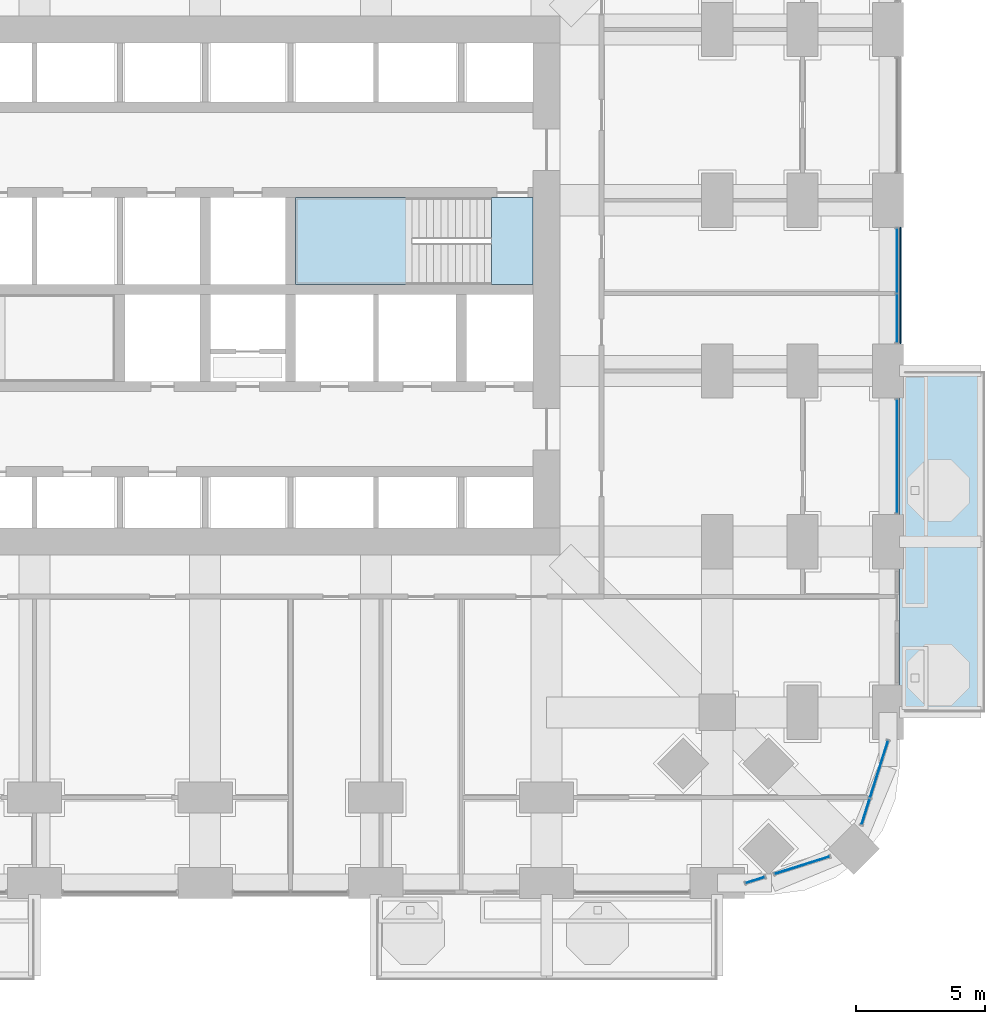
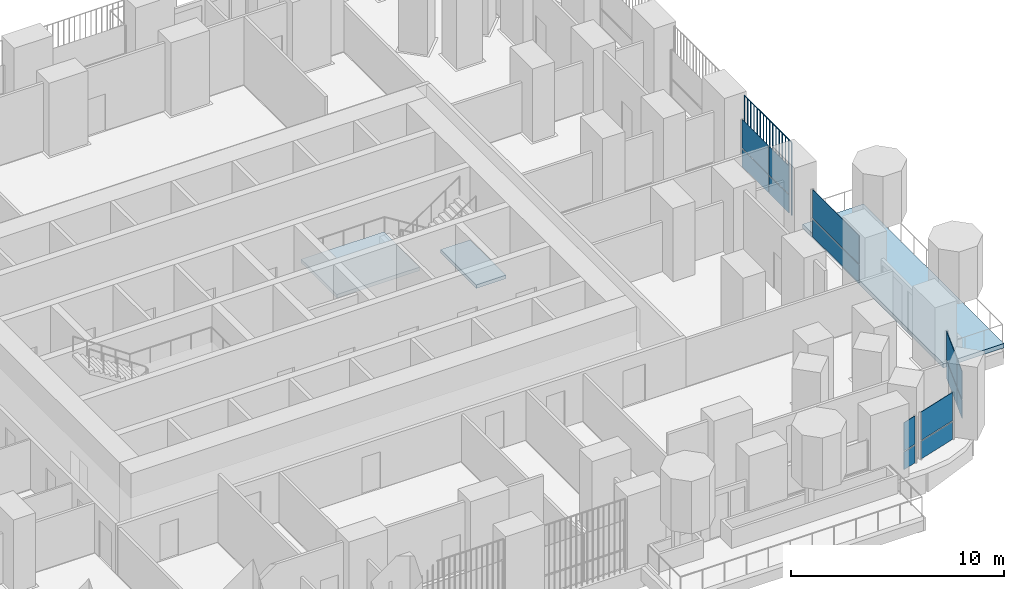
# One storey, part 14 of 27: 15 plates, 3 slabs, 6 elements without a shape of their own.
"""IFC4 building model written with IfcOpenShell, lengths in metres."""

import ifcopenshell
import ifcopenshell.guid

model = None  # the IFC model being written
_history = None  # IfcOwnerHistory: only IFC2X3 demands one
_inside = {}  # id of a spatial element -> (the spatial element, [elements in it])
_under = {}  # id of a project, library or spatial element -> (it, [spatial elements below it])
_declared = {}  # id of a project -> (the project, [libraries it declares])
_typed = {}  # id of a type object -> (the type object, [elements of that type])
_made_of = {}  # id of a material, layer set ... -> (it, [elements and type objects made of it])


def new_model(schema):
    """Start an empty IFC model of exactly this schema.

    Asked for "IFC4X3", IfcOpenShell would pick the latest addendum, in which some entities
    have other attributes; the version numbers below select the first issue.
    IFC2X3 requires an IfcOwnerHistory on every rooted entity: one is made here for all.
    """
    global model, _history
    if schema == "IFC4X3":
        model = ifcopenshell.file(schema_version=(4, 3, 0, 0))
    else:
        model = ifcopenshell.file(schema=schema)
    _inside.clear()
    _under.clear()
    _declared.clear()
    _typed.clear()
    _made_of.clear()
    _history = None
    if model.schema == "IFC2X3":
        org = make("IfcOrganization", Name="unknown")
        user = make(
            "IfcPersonAndOrganization",
            ThePerson=make("IfcPerson", FamilyName="unknown"),
            TheOrganization=org,
        )
        app = make(
            "IfcApplication",
            ApplicationDeveloper=org,
            Version="unknown",
            ApplicationFullName="unknown",
            ApplicationIdentifier="unknown",
        )
        _history = make(
            "IfcOwnerHistory",
            OwningUser=user,
            OwningApplication=app,
            ChangeAction="ADDED",
            CreationDate=0,
        )
    return model


def make(cls, **values):
    """One entity of the class cls with the attributes given. An attribute that is None is left unset."""
    return model.create_entity(
        cls, **{name: value for name, value in values.items() if value is not None}
    )


def rooted(cls, **values):
    """An entity with a GlobalId (a new one), such as an element, a storey or a relation."""
    return make(cls, GlobalId=ifcopenshell.guid.new(), OwnerHistory=_history, **values)


def si_unit(unit_type, name, prefix=None):
    """IfcSIUnit, for example si_unit("LENGTHUNIT", "METRE", prefix="MILLI")."""
    return make("IfcSIUnit", UnitType=unit_type, Prefix=prefix, Name=name)


def assignment(units):
    """IfcUnitAssignment: the units of a project."""
    return None if units is None else make("IfcUnitAssignment", Units=units)


def point(xyz):
    """IfcCartesianPoint."""
    return None if xyz is None else make("IfcCartesianPoint", Coordinates=xyz)


def direction(xyz):
    """IfcDirection."""
    return None if xyz is None else make("IfcDirection", DirectionRatios=xyz)


def frame(location, z_axis=None, x_axis=None):
    """IfcAxis2Placement3D, a coordinate frame: its origin and axes. An axis left out is left unset."""
    return make(
        "IfcAxis2Placement3D",
        Location=point(location),
        Axis=direction(z_axis),
        RefDirection=direction(x_axis),
    )


def frame_2d(location, x_axis=None):
    """IfcAxis2Placement2D, a coordinate frame in the plane: its origin and x axis."""
    return make(
        "IfcAxis2Placement2D", Location=point(location), RefDirection=direction(x_axis)
    )


def origin():
    """The frame at (0, 0, 0) with its axes left unset."""
    return frame((0.0, 0.0, 0.0))


def origin_2d():
    """The frame at (0, 0) in the plane with its x axis left unset."""
    return frame_2d((0.0, 0.0))


def place(relative_to, where):
    """IfcLocalPlacement: puts the frame where relative to a parent placement (None: the world)."""
    return make(
        "IfcLocalPlacement", PlacementRelTo=relative_to, RelativePlacement=where
    )


def context(
    kind, dimensions, precision=None, world=None, true_north=None, identifier=None
):
    """IfcGeometricRepresentationContext, for example the 3D "Model" context."""
    return make(
        "IfcGeometricRepresentationContext",
        ContextIdentifier=identifier,
        ContextType=kind,
        CoordinateSpaceDimension=dimensions,
        Precision=precision,
        WorldCoordinateSystem=world,
        TrueNorth=true_north,
    )


def subcontext(parent, identifier, kind, view, scale=None):
    """IfcGeometricRepresentationSubContext, for example "Body" below "Model"."""
    return make(
        "IfcGeometricRepresentationSubContext",
        ContextIdentifier=identifier,
        ContextType=kind,
        ParentContext=parent,
        TargetScale=scale,
        TargetView=view,
    )


def project(units=None, contexts=None):
    """IfcProject with its units and contexts."""
    return rooted(
        "IfcProject",
        Name="project",
        RepresentationContexts=contexts,
        UnitsInContext=assignment(units),
    )


def spatial(cls, under=None, at=None, **own):
    """A site, building, storey or space (cls), placed at a placement, below another one or the project."""
    s = rooted(cls, ObjectPlacement=at, **own)
    if under is not None:
        _under.setdefault(under.id(), (under, []))[1].append(s)
    return s


def polyline(points):
    """IfcPolyline through the points."""
    return make("IfcPolyline", Points=[point(p) for p in points])


def profile(cls, at=None, kind="AREA", **sizes):
    """A parametric profile (cls). Its sizes go by their IFC names, for example OverallWidth=200.0."""
    return make(cls, ProfileType=kind, Position=at, **sizes)


def rectangle(**sizes):
    """IfcRectangleProfileDef."""
    return profile("IfcRectangleProfileDef", **sizes)


def outline(outer, holes=None, kind="AREA"):
    """IfcArbitraryClosedProfileDef: a profile drawn as a closed curve; with holes, ...WithVoids."""
    if holes is None:
        return make("IfcArbitraryClosedProfileDef", ProfileType=kind, OuterCurve=outer)
    return make(
        "IfcArbitraryProfileDefWithVoids",
        ProfileType=kind,
        OuterCurve=outer,
        InnerCurves=holes,
    )


def extrude(swept, where, along, depth):
    """IfcExtrudedAreaSolid: the profile swept, set in the frame where, extruded along a direction by depth."""
    return make(
        "IfcExtrudedAreaSolid",
        SweptArea=swept,
        Position=where,
        ExtrudedDirection=direction(along),
        Depth=depth,
    )


def shape(context_of_items, identifier, shape_type, items):
    """IfcShapeRepresentation: the items that make up one representation, for example the "Body"."""
    return make(
        "IfcShapeRepresentation",
        ContextOfItems=context_of_items,
        RepresentationIdentifier=identifier,
        RepresentationType=shape_type,
        Items=items,
    )


def material(Name=None, Category=None):
    """IfcMaterial."""
    return make("IfcMaterial", Name=Name, Category=Category)


def layer(
    of_material, thickness, ventilated=None, Name=None, Category=None, Priority=None
):
    """IfcMaterialLayer: one layer of a wall or slab, of a material (None: an air gap)."""
    return make(
        "IfcMaterialLayer",
        Material=of_material,
        LayerThickness=thickness,
        IsVentilated=ventilated,
        Name=Name,
        Category=Category,
        Priority=Priority,
    )


def layer_set(layers, Name=None):
    """IfcMaterialLayerSet."""
    return make("IfcMaterialLayerSet", MaterialLayers=layers, LayerSetName=Name)


def made_of(thing, what):
    """Note that an element or type object is made of a material, layer set ...; save() writes the relation."""
    if what is not None:
        _made_of.setdefault(what.id(), (what, []))[1].append(thing)
    return thing


def type_object(cls, material=None, **own):
    """A type object (cls), such as IfcWallType, which elements share."""
    return made_of(rooted(cls, **own), material)


def element(
    cls,
    number,
    at=None,
    inside=None,
    cuts=None,
    type_object=None,
    material=None,
    context=None,
    identifier="Body",
    shape_type=None,
    held_by="IfcProductDefinitionShape",
    body=None,
    shapes=None,
    **own,
):
    """One element of the class cls, such as IfcWall. Its Tag is "e" and its number.

    at: its placement. inside: the storey or other place that contains it. cuts: it is an
    opening in that element (IfcRelVoidsElement). A single representation is given by context,
    identifier, shape_type and body (its items); several are given by shapes. held_by: the class
    of the entity that holds the representations. save() writes the other relations.
    """
    e = rooted(cls, Tag="e%d" % number, ObjectPlacement=at, **own)
    if body is not None:
        shapes = [shape(context, identifier, shape_type, body)]
    if shapes is not None:
        e.Representation = make(held_by, Representations=shapes)
    if inside is not None:
        _inside.setdefault(inside.id(), (inside, []))[1].append(e)
    if cuts is not None:
        rooted(
            "IfcRelVoidsElement", RelatingBuildingElement=cuts, RelatedOpeningElement=e
        )
    if type_object is not None:
        _typed.setdefault(type_object.id(), (type_object, []))[1].append(e)
    return made_of(e, material)


def aggregate(whole, parts):
    """IfcRelAggregates: a whole, such as a stair, and the parts it consists of."""
    return rooted("IfcRelAggregates", RelatingObject=whole, RelatedObjects=parts)


def save(model, path):
    """Write the relations noted so far, then the file.

    IfcRelAggregates (storeys below a building ...), IfcRelContainedInSpatialStructure (elements
    in a storey), IfcRelDefinesByType, IfcRelAssociatesMaterial and IfcRelDeclares: one each for
    every whole, place, type object, material and project.
    """
    for whole, parts in _under.values():
        aggregate(whole, parts)
    for where, things in _inside.values():
        rooted(
            "IfcRelContainedInSpatialStructure",
            RelatedElements=things,
            RelatingStructure=where,
        )
    for kind, things in _typed.values():
        rooted("IfcRelDefinesByType", RelatedObjects=things, RelatingType=kind)
    for what, things in _made_of.values():
        rooted("IfcRelAssociatesMaterial", RelatedObjects=things, RelatingMaterial=what)
    for by, libraries in _declared.values():
        rooted("IfcRelDeclares", RelatingContext=by, RelatedDefinitions=libraries)
    model.write(path)


model = new_model("IFC4")

# Units and contexts
model_context = context("Model", 3, precision=1e-05, world=origin(), true_north=direction((0.0, 1.0)))
body_context = subcontext(model_context, "Body", "Model", "MODEL_VIEW")
ifc_project = project(units=[si_unit("LENGTHUNIT", "METRE"), si_unit("AREAUNIT", "SQUARE_METRE"), si_unit("VOLUMEUNIT", "CUBIC_METRE"), si_unit("PLANEANGLEUNIT", "RADIAN"), si_unit("MASSUNIT", "GRAM", prefix="KILO")], contexts=[model_context])

# Site, building, storey
site_placement = place(None, origin())
site = spatial("IfcSite", under=ifc_project, at=site_placement, CompositionType="ELEMENT")
building_placement = place(site_placement, origin())
building = spatial("IfcBuilding", under=site, at=building_placement, Name="Cobogo Forest Laboratory Tower", CompositionType="ELEMENT")
storey_placement = place(building_placement, frame((0.0, 0.0, 46.5)))
storey = spatial("IfcBuildingStorey", under=building, at=storey_placement, Name="L10", CompositionType="ELEMENT", Elevation=46.5)

# Slab
ifc_material_1 = material(Name="Concrete HA-40 (C40/50)", Category="concrete")
ifc_layer_1 = layer(ifc_material_1, 0.25)
ifc_layer_set_1 = layer_set([ifc_layer_1], Name="Balcony slab 250")
slab_type_1 = type_object("IfcSlabType", Name="Balcony slab 250", PredefinedType="FLOOR", material=ifc_layer_set_1)
slab_1_placement = place(storey_placement, frame((0.0, 0.0, -0.25)))
element("IfcSlab", 1, at=slab_1_placement, inside=storey, type_object=slab_type_1, Name="Balcony BAL-E1 L10", PredefinedType="FLOOR", context=body_context, shape_type="SweptSolid", body=[
    extrude(outline(polyline([(53.25, 6.60009765625), (56.550048828125, 6.60009765625), (56.550048828125, 19.800048828125), (53.25, 19.800048828125), (53.25, 6.60009765625)])), origin(), (0.0, 0.0, 1.0), 0.25),
])

# Curtain wall, plates
ifc_material_2 = material(Name="Aluminium curtain wall", Category="aluminium")
curtain_wall_type = type_object("IfcCurtainWallType", Name="CW-1 unitised curtain wall, clear glazing, laboratory floors zones A and B", PredefinedType="USERDEFINED", material=ifc_material_2)
curtain_wall_1_placement = place(storey_placement, origin())
curtain_wall_1 = element("IfcCurtainWall", 2, at=curtain_wall_1_placement, inside=storey, type_object=curtain_wall_type, Name="Curtain wall 07 L10", ObjectType="UNITISED CURTAIN WALL", PredefinedType="USERDEFINED")
ifc_material_3 = material(Name="Clear insulated glass", Category="glass")
ifc_layer_2 = layer(ifc_material_3, 0.028076171875)
ifc_layer_set_2 = layer_set([ifc_layer_2], Name="GP-1 clear insulated glass unit 28")
plate_type_1 = type_object("IfcPlateType", Name="GP-1 clear insulated glass unit 28", PredefinedType="CURTAIN_PANEL", material=ifc_layer_set_2)
plate_1_placement = place(storey_placement, frame((47.666015625, 0.113037109375, 0.0), z_axis=(0.0, 0.0, 1.0), x_axis=(0.953581504428, 0.301135043481, 0.0)))
plate_1 = element("IfcPlate", 3, at=plate_1_placement, type_object=plate_type_1, Name="CW-1 panel 1.1", PredefinedType="CURTAIN_PANEL", context=body_context, shape_type="SweptSolid", body=[
    extrude(rectangle(XDim=0.75244140625, YDim=0.028076171875, at=origin_2d()), origin(), (0.0, 0.0, 1.0), 1.02001953125),
])
plate_2_placement = place(storey_placement, frame((47.666015625, 0.113037109375, 1.079833984375), z_axis=(0.0, 0.0, 1.0), x_axis=(0.953581504428, 0.301135043481, 0.0)))
plate_2 = element("IfcPlate", 4, at=plate_2_placement, type_object=plate_type_1, Name="CW-1 panel 1.2", PredefinedType="CURTAIN_PANEL", context=body_context, shape_type="SweptSolid", body=[
    extrude(rectangle(XDim=0.75244140625, YDim=0.028076171875, at=origin_2d()), origin(), (0.0, 0.0, 1.0), 1.6201171875),
])
aggregate(curtain_wall_1, [plate_1, plate_2])

curtain_wall_2_placement = place(storey_placement, origin())
curtain_wall_2 = element("IfcCurtainWall", 5, at=curtain_wall_2_placement, inside=storey, type_object=curtain_wall_type, Name="Curtain wall 08 L10", ObjectType="UNITISED CURTAIN WALL", PredefinedType="USERDEFINED")
plate_3_placement = place(storey_placement, frame((49.482177734375, 0.6865234375, 0.0), z_axis=(0.0, 0.0, 1.0), x_axis=(0.953581409645, 0.301135343623, 0.0)))
plate_3 = element("IfcPlate", 6, at=plate_3_placement, type_object=plate_type_1, Name="CW-1 panel 1.1", PredefinedType="CURTAIN_PANEL", context=body_context, shape_type="SweptSolid", body=[
    extrude(rectangle(XDim=2.203369140625, YDim=0.028076171875, at=origin_2d()), origin(), (0.0, 0.0, 1.0), 1.02001953125),
])
plate_4_placement = place(storey_placement, frame((49.482177734375, 0.6865234375, 1.079833984375), z_axis=(0.0, 0.0, 1.0), x_axis=(0.953581409645, 0.301135343623, 0.0)))
plate_4 = element("IfcPlate", 7, at=plate_4_placement, type_object=plate_type_1, Name="CW-1 panel 1.2", PredefinedType="CURTAIN_PANEL", context=body_context, shape_type="SweptSolid", body=[
    extrude(rectangle(XDim=2.203369140625, YDim=0.028076171875, at=origin_2d()), origin(), (0.0, 0.0, 1.0), 1.6201171875),
])
aggregate(curtain_wall_2, [plate_3, plate_4])

curtain_wall_3_placement = place(storey_placement, origin())
curtain_wall_3 = element("IfcCurtainWall", 8, at=curtain_wall_3_placement, inside=storey, type_object=curtain_wall_type, Name="Curtain wall 09 L10", ObjectType="UNITISED CURTAIN WALL", PredefinedType="USERDEFINED")
plate_5_placement = place(storey_placement, frame((51.9365234375, 2.75732421875, 0.0), z_axis=(0.0, 0.0, 1.0), x_axis=(0.30113535792, 0.95358140513, 0.0)))
plate_5 = element("IfcPlate", 9, at=plate_5_placement, type_object=plate_type_1, Name="CW-1 panel 1.1", PredefinedType="CURTAIN_PANEL", context=body_context, shape_type="SweptSolid", body=[
    extrude(rectangle(XDim=1.027587890625, YDim=0.028076171875, at=origin_2d()), origin(), (0.0, 0.0, 1.0), 1.02001953125),
])
plate_6_placement = place(storey_placement, frame((51.9365234375, 2.75732421875, 1.079833984375), z_axis=(0.0, 0.0, 1.0), x_axis=(0.30113535792, 0.95358140513, 0.0)))
plate_6 = element("IfcPlate", 10, at=plate_6_placement, type_object=plate_type_1, Name="CW-1 panel 1.2", PredefinedType="CURTAIN_PANEL", context=body_context, shape_type="SweptSolid", body=[
    extrude(rectangle(XDim=1.027587890625, YDim=0.028076171875, at=origin_2d()), origin(), (0.0, 0.0, 1.0), 1.6201171875),
])
plate_7_placement = place(storey_placement, frame((52.454833984375, 4.398681640625, 0.0), z_axis=(0.0, 0.0, 1.0), x_axis=(0.30113535792, 0.95358140513, 0.0)))
plate_7 = element("IfcPlate", 11, at=plate_7_placement, type_object=plate_type_1, Name="CW-1 panel 2.1", PredefinedType="CURTAIN_PANEL", context=body_context, shape_type="SweptSolid", body=[
    extrude(rectangle(XDim=2.294677734375, YDim=0.028076171875, at=origin_2d()), origin(), (0.0, 0.0, 1.0), 1.02001953125),
])
plate_8_placement = place(storey_placement, frame((52.454833984375, 4.398681640625, 1.079833984375), z_axis=(0.0, 0.0, 1.0), x_axis=(0.30113535792, 0.95358140513, 0.0)))
plate_8 = element("IfcPlate", 12, at=plate_8_placement, type_object=plate_type_1, Name="CW-1 panel 2.2", PredefinedType="CURTAIN_PANEL", context=body_context, shape_type="SweptSolid", body=[
    extrude(rectangle(XDim=2.294677734375, YDim=0.028076171875, at=origin_2d()), origin(), (0.0, 0.0, 1.0), 1.6201171875),
])
aggregate(curtain_wall_3, [plate_5, plate_6, plate_7, plate_8])

curtain_wall_4_placement = place(storey_placement, origin())
curtain_wall_4 = element("IfcCurtainWall", 13, at=curtain_wall_4_placement, inside=storey, type_object=curtain_wall_type, Name="Curtain wall 11 L10", ObjectType="UNITISED CURTAIN WALL", PredefinedType="USERDEFINED")
plate_9_placement = place(storey_placement, frame((53.14990234375, 16.5, 0.0), z_axis=(0.0, 0.0, 1.0), x_axis=(0.0, 1.0, 0.0)))
plate_9 = element("IfcPlate", 14, at=plate_9_placement, type_object=plate_type_1, Name="CW-1 panel 1.1", PredefinedType="CURTAIN_PANEL", context=body_context, shape_type="SweptSolid", body=[
    extrude(rectangle(XDim=4.3798828125, YDim=0.028076171875, at=origin_2d()), origin(), (0.0, 0.0, 1.0), 1.02001953125),
])
plate_10_placement = place(storey_placement, frame((53.14990234375, 16.5, 1.079833984375), z_axis=(0.0, 0.0, 1.0), x_axis=(0.0, 1.0, 0.0)))
plate_10 = element("IfcPlate", 15, at=plate_10_placement, type_object=plate_type_1, Name="CW-1 panel 1.2", PredefinedType="CURTAIN_PANEL", context=body_context, shape_type="SweptSolid", body=[
    extrude(rectangle(XDim=4.3798828125, YDim=0.028076171875, at=origin_2d()), origin(), (0.0, 0.0, 1.0), 1.6201171875),
])
aggregate(curtain_wall_4, [plate_9, plate_10])

curtain_wall_5_placement = place(storey_placement, origin())
curtain_wall_5 = element("IfcCurtainWall", 16, at=curtain_wall_5_placement, inside=storey, type_object=curtain_wall_type, Name="Curtain wall 12 L10", ObjectType="UNITISED CURTAIN WALL", PredefinedType="USERDEFINED")
plate_11_placement = place(storey_placement, frame((53.14990234375, 21.840087890625, 0.0), z_axis=(0.0, 0.0, 1.0), x_axis=(0.0, 1.0, 0.0)))
plate_11 = element("IfcPlate", 17, at=plate_11_placement, type_object=plate_type_1, Name="CW-1 panel 1.1", PredefinedType="CURTAIN_PANEL", context=body_context, shape_type="SweptSolid", body=[
    extrude(rectangle(XDim=1.860107421875, YDim=0.028076171875, at=origin_2d()), origin(), (0.0, 0.0, 1.0), 1.02001953125),
])
plate_12_placement = place(storey_placement, frame((53.14990234375, 21.840087890625, 1.079833984375), z_axis=(0.0, 0.0, 1.0), x_axis=(0.0, 1.0, 0.0)))
plate_12 = element("IfcPlate", 18, at=plate_12_placement, type_object=plate_type_1, Name="CW-1 panel 1.2", PredefinedType="CURTAIN_PANEL", context=body_context, shape_type="SweptSolid", body=[
    extrude(rectangle(XDim=1.860107421875, YDim=0.028076171875, at=origin_2d()), origin(), (0.0, 0.0, 1.0), 1.6201171875),
])
plate_13_placement = place(storey_placement, frame((53.14990234375, 24.06005859375, 0.0), z_axis=(0.0, 0.0, 1.0), x_axis=(0.0, 1.0, 0.0)))
plate_13 = element("IfcPlate", 19, at=plate_13_placement, type_object=plate_type_1, Name="CW-1 panel 2.1", PredefinedType="CURTAIN_PANEL", context=body_context, shape_type="SweptSolid", body=[
    extrude(rectangle(XDim=2.4599609375, YDim=0.028076171875, at=origin_2d()), origin(), (0.0, 0.0, 1.0), 1.02001953125),
])
plate_14_placement = place(storey_placement, frame((53.14990234375, 24.06005859375, 1.079833984375), z_axis=(0.0, 0.0, 1.0), x_axis=(0.0, 1.0, 0.0)))
plate_14 = element("IfcPlate", 20, at=plate_14_placement, type_object=plate_type_1, Name="CW-1 panel 2.2", PredefinedType="CURTAIN_PANEL", context=body_context, shape_type="SweptSolid", body=[
    extrude(rectangle(XDim=2.4599609375, YDim=0.028076171875, at=origin_2d()), origin(), (0.0, 0.0, 1.0), 1.6201171875),
])
aggregate(curtain_wall_5, [plate_11, plate_12, plate_13, plate_14])

# Stair, slabs
ifc_material_4 = material(Name="Precast concrete HA-40 (C40/50)", Category="concrete")
stair_type = type_object("IfcStairType", Name="ST24 exit stair 24 risers", PredefinedType="HALF_TURN_STAIR", material=ifc_material_4)
stair_placement = place(storey_placement, origin())
stair = element("IfcStair", 21, at=stair_placement, inside=storey, type_object=stair_type, Name="Stair 2 L10 to L11", PredefinedType="HALF_TURN_STAIR")
ifc_layer_3 = layer(ifc_material_1, 0.199951171875)
ifc_layer_set_3 = layer_set([ifc_layer_3], Name="SL stair landing 200")
slab_type_2 = type_object("IfcSlabType", Name="SL stair landing 200", PredefinedType="LANDING", material=ifc_layer_set_3)
slab_2_placement = place(storey_placement, frame((0.0, 0.0, -0.199951171875)))
slab_2 = element("IfcSlab", 22, at=slab_2_placement, type_object=slab_type_2, Name="ST2 landing 1", PredefinedType="LANDING", context=body_context, shape_type="SweptSolid", body=[
    extrude(outline(polyline([(37.472900390625, 23.14990234375), (39.074951171875, 23.14990234375), (39.074951171875, 26.5), (37.472900390625, 26.5), (37.472900390625, 23.14990234375)])), origin(), (0.0, 0.0, 1.0), 0.199951171875),
])
slab_3_placement = place(storey_placement, frame((0.0, 0.0, 1.89990234375)))
slab_3 = element("IfcSlab", 23, at=slab_3_placement, type_object=slab_type_2, Name="ST2 landing 2", PredefinedType="LANDING", context=body_context, shape_type="SweptSolid", body=[
    extrude(outline(polyline([(29.89990234375, 23.14990234375), (34.39697265625, 23.14990234375), (34.39697265625, 26.5), (29.89990234375, 26.5), (29.89990234375, 23.14990234375)])), origin(), (0.0, 0.0, 1.0), 0.2001953125),
])
aggregate(stair, [slab_2, slab_3])

# Plate
ifc_material_5 = material(Name="Terracotta", Category="masonry")
plate_type_2 = type_object("IfcPlateType", Name="TB1 terracotta baguette screen", PredefinedType="USERDEFINED", material=ifc_material_5)
plate_15_placement = place(storey_placement, frame((53.27783203125, 20.88134765625, -0.14990234375)))
element("IfcPlate", 24, at=plate_15_placement, inside=storey, type_object=plate_type_2, Name="Baguette screen E3 L10", ObjectType="BAGUETTE SCREEN", PredefinedType="USERDEFINED", context=body_context, shape_type="SweptSolid", body=[
    extrude(outline(polyline([(0.02880859375, 0.011962890625), (0.011962890625, 0.02880859375), (-0.011962890625, 0.02880859375), (-0.02880859375, 0.011962890625), (-0.02880859375, -0.011962890625), (-0.011962890625, -0.02880859375), (0.011962890625, -0.02880859375), (0.02880859375, -0.011962890625), (0.02880859375, 0.011962890625)])), frame((0.0, 0.0, 4.168701171875), z_axis=(0.0, 1.0, 0.0), x_axis=(-1.0, 0.0, 0.0)), (0.0, 0.0, 1.0), 4.4375),
    extrude(outline(polyline([(0.02880859375, 0.011962890625), (0.011962890625, 0.02880859375), (-0.011962890625, 0.02880859375), (-0.02880859375, 0.011962890625), (-0.02880859375, -0.011962890625), (-0.011962890625, -0.02880859375), (0.011962890625, -0.02880859375), (0.02880859375, -0.011962890625), (0.02880859375, 0.011962890625)])), origin(), (0.0, 0.0, 1.0), 4.137451171875),
    extrude(outline(polyline([(0.02880859375, 0.011962890625), (0.011962890625, 0.02880859375), (-0.011962890625, 0.02880859375), (-0.02880859375, 0.011962890625), (-0.02880859375, -0.011962890625), (-0.011962890625, -0.02880859375), (0.011962890625, -0.02880859375), (0.02880859375, -0.011962890625), (0.02880859375, 0.011962890625)])), frame((0.0, 0.2958984375, 0.0)), (0.0, 0.0, 1.0), 4.137451171875),
    extrude(outline(polyline([(0.02880859375, 0.011962890625), (0.011962890625, 0.02880859375), (-0.011962890625, 0.02880859375), (-0.02880859375, 0.011962890625), (-0.02880859375, -0.011962890625), (-0.011962890625, -0.02880859375), (0.011962890625, -0.02880859375), (0.02880859375, -0.011962890625), (0.02880859375, 0.011962890625)])), frame((0.0, 0.591552734375, 0.0)), (0.0, 0.0, 1.0), 4.137451171875),
    extrude(outline(polyline([(0.02880859375, 0.011962890625), (0.011962890625, 0.02880859375), (-0.011962890625, 0.02880859375), (-0.02880859375, 0.011962890625), (-0.02880859375, -0.011962890625), (-0.011962890625, -0.02880859375), (0.011962890625, -0.02880859375), (0.02880859375, -0.011962890625), (0.02880859375, 0.011962890625)])), frame((0.0, 0.887451171875, 0.0)), (0.0, 0.0, 1.0), 4.137451171875),
    extrude(outline(polyline([(0.02880859375, 0.011962890625), (0.011962890625, 0.02880859375), (-0.011962890625, 0.02880859375), (-0.02880859375, 0.011962890625), (-0.02880859375, -0.011962890625), (-0.011962890625, -0.02880859375), (0.011962890625, -0.02880859375), (0.02880859375, -0.011962890625), (0.02880859375, 0.011962890625)])), frame((0.0, 1.183349609375, 0.0)), (0.0, 0.0, 1.0), 4.137451171875),
    extrude(outline(polyline([(0.02880859375, 0.011962890625), (0.011962890625, 0.02880859375), (-0.011962890625, 0.02880859375), (-0.02880859375, 0.011962890625), (-0.02880859375, -0.011962890625), (-0.011962890625, -0.02880859375), (0.011962890625, -0.02880859375), (0.02880859375, -0.011962890625), (0.02880859375, 0.011962890625)])), frame((0.0, 1.479248046875, 0.0)), (0.0, 0.0, 1.0), 4.137451171875),
    extrude(outline(polyline([(0.02880859375, 0.011962890625), (0.011962890625, 0.02880859375), (-0.011962890625, 0.02880859375), (-0.02880859375, 0.011962890625), (-0.02880859375, -0.011962890625), (-0.011962890625, -0.02880859375), (0.011962890625, -0.02880859375), (0.02880859375, -0.011962890625), (0.02880859375, 0.011962890625)])), frame((0.0, 1.77490234375, 0.0)), (0.0, 0.0, 1.0), 4.137451171875),
    extrude(outline(polyline([(0.02880859375, 0.011962890625), (0.011962890625, 0.02880859375), (-0.011962890625, 0.02880859375), (-0.02880859375, 0.011962890625), (-0.02880859375, -0.011962890625), (-0.011962890625, -0.02880859375), (0.011962890625, -0.02880859375), (0.02880859375, -0.011962890625), (0.02880859375, 0.011962890625)])), frame((0.0, 2.07080078125, 0.0)), (0.0, 0.0, 1.0), 4.137451171875),
    extrude(outline(polyline([(0.02880859375, 0.011962890625), (0.011962890625, 0.02880859375), (-0.011962890625, 0.02880859375), (-0.02880859375, 0.011962890625), (-0.02880859375, -0.011962890625), (-0.011962890625, -0.02880859375), (0.011962890625, -0.02880859375), (0.02880859375, -0.011962890625), (0.02880859375, 0.011962890625)])), frame((0.0, 2.36669921875, 0.0)), (0.0, 0.0, 1.0), 4.137451171875),
    extrude(outline(polyline([(0.02880859375, 0.011962890625), (0.011962890625, 0.02880859375), (-0.011962890625, 0.02880859375), (-0.02880859375, 0.011962890625), (-0.02880859375, -0.011962890625), (-0.011962890625, -0.02880859375), (0.011962890625, -0.02880859375), (0.02880859375, -0.011962890625), (0.02880859375, 0.011962890625)])), frame((0.0, 2.66259765625, 0.0)), (0.0, 0.0, 1.0), 4.137451171875),
    extrude(outline(polyline([(0.02880859375, 0.011962890625), (0.011962890625, 0.02880859375), (-0.011962890625, 0.02880859375), (-0.02880859375, 0.011962890625), (-0.02880859375, -0.011962890625), (-0.011962890625, -0.02880859375), (0.011962890625, -0.02880859375), (0.02880859375, -0.011962890625), (0.02880859375, 0.011962890625)])), frame((0.0, 2.958251953125, 0.0)), (0.0, 0.0, 1.0), 4.137451171875),
    extrude(outline(polyline([(0.02880859375, 0.011962890625), (0.011962890625, 0.02880859375), (-0.011962890625, 0.02880859375), (-0.02880859375, 0.011962890625), (-0.02880859375, -0.011962890625), (-0.011962890625, -0.02880859375), (0.011962890625, -0.02880859375), (0.02880859375, -0.011962890625), (0.02880859375, 0.011962890625)])), frame((0.0, 3.254150390625, 0.0)), (0.0, 0.0, 1.0), 4.137451171875),
    extrude(outline(polyline([(0.02880859375, 0.011962890625), (0.011962890625, 0.02880859375), (-0.011962890625, 0.02880859375), (-0.02880859375, 0.011962890625), (-0.02880859375, -0.011962890625), (-0.011962890625, -0.02880859375), (0.011962890625, -0.02880859375), (0.02880859375, -0.011962890625), (0.02880859375, 0.011962890625)])), frame((0.0, 3.550048828125, 0.0)), (0.0, 0.0, 1.0), 4.137451171875),
    extrude(outline(polyline([(0.02880859375, 0.011962890625), (0.011962890625, 0.02880859375), (-0.011962890625, 0.02880859375), (-0.02880859375, 0.011962890625), (-0.02880859375, -0.011962890625), (-0.011962890625, -0.02880859375), (0.011962890625, -0.02880859375), (0.02880859375, -0.011962890625), (0.02880859375, 0.011962890625)])), frame((0.0, 3.845947265625, 0.0)), (0.0, 0.0, 1.0), 4.137451171875),
    extrude(outline(polyline([(0.02880859375, 0.011962890625), (0.011962890625, 0.02880859375), (-0.011962890625, 0.02880859375), (-0.02880859375, 0.011962890625), (-0.02880859375, -0.011962890625), (-0.011962890625, -0.02880859375), (0.011962890625, -0.02880859375), (0.02880859375, -0.011962890625), (0.02880859375, 0.011962890625)])), frame((0.0, 4.1416015625, 0.0)), (0.0, 0.0, 1.0), 4.137451171875),
    extrude(outline(polyline([(0.02880859375, 0.011962890625), (0.011962890625, 0.02880859375), (-0.011962890625, 0.02880859375), (-0.02880859375, 0.011962890625), (-0.02880859375, -0.011962890625), (-0.011962890625, -0.02880859375), (0.011962890625, -0.02880859375), (0.02880859375, -0.011962890625), (0.02880859375, 0.011962890625)])), frame((0.0, 4.4375, 0.0)), (0.0, 0.0, 1.0), 4.137451171875),
])

save(model, "model.ifc")
